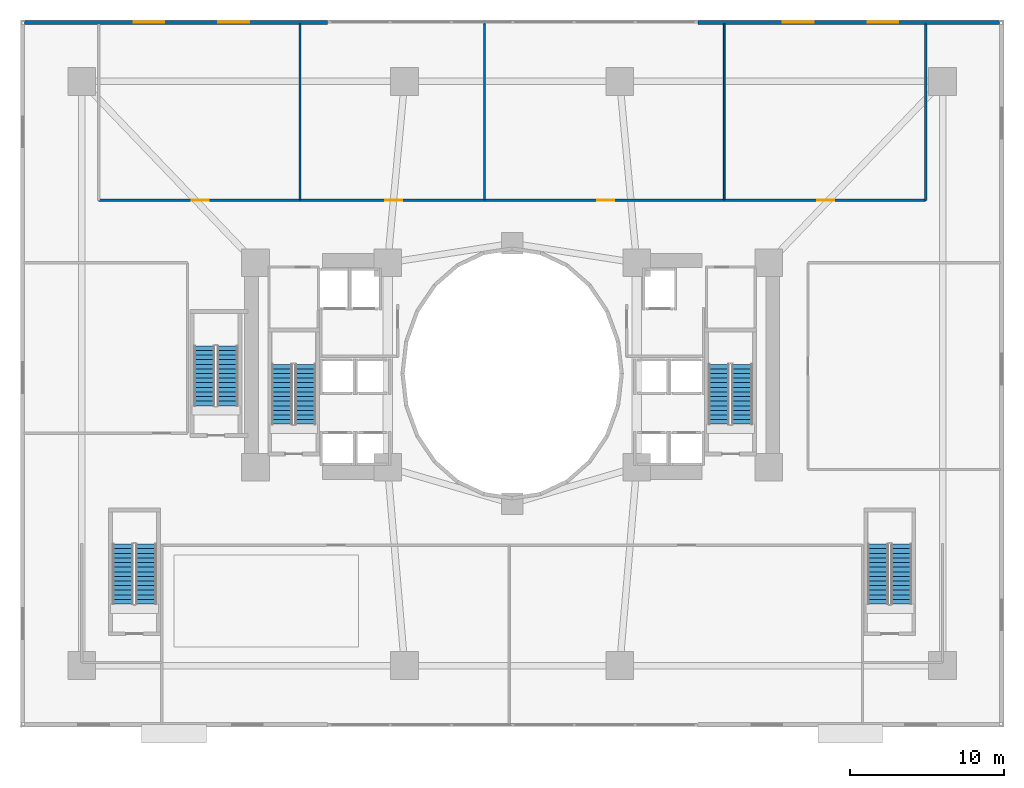
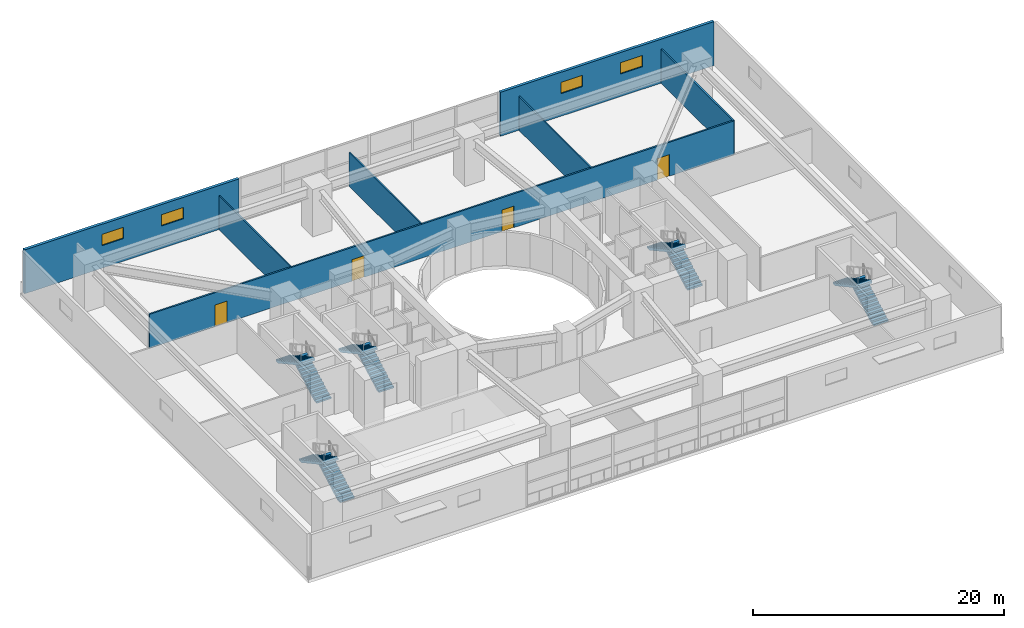
# One storey, part 14 of 20: 10 stair flights, 7 walls, 4 doors, 4 windows, 8 openings, 5 elements without a shape of their own.
"""IFC4 building model written with IfcOpenShell, lengths in metres."""

from ifc_helpers import new_model, si_unit, direction, frame, frame_2d, origin, place, context, subcontext, project, spatial, polyline, rectangle, outline, extrude, material, layer, layer_set, type_object, element, fill, aggregate, save


model = new_model("IFC4")

# Units and contexts
model_context = context("Model", 3, precision=1e-05, world=origin(), true_north=direction((0.0, 1.0)))
body_context = subcontext(model_context, "Body", "Model", "MODEL_VIEW")
ifc_project = project(units=[si_unit("LENGTHUNIT", "METRE"), si_unit("AREAUNIT", "SQUARE_METRE"), si_unit("VOLUMEUNIT", "CUBIC_METRE"), si_unit("PLANEANGLEUNIT", "RADIAN"), si_unit("MASSUNIT", "GRAM", prefix="KILO")], contexts=[model_context])

# Site, building, storey
site_placement = place(None, origin())
site = spatial("IfcSite", under=ifc_project, at=site_placement, CompositionType="ELEMENT")
building_placement = place(site_placement, origin())
building = spatial("IfcBuilding", under=site, at=building_placement, Name="Solvane Sanctuary Tower", CompositionType="ELEMENT")
storey_placement = place(building_placement, frame((0.0, 0.0, 18.39990234375)))
storey = spatial("IfcBuildingStorey", under=building, at=storey_placement, Name="L05", CompositionType="ELEMENT", Elevation=18.39990234375)

# Wall, openings, doors
ifc_material_1 = material(Name="Acoustic Gypsum Partition Board")
ifc_layer_1 = layer(ifc_material_1, 0.14990234375, Name="Acoustic Gypsum Partition Board")
ifc_layer_set_1 = layer_set([ifc_layer_1], Name="Acoustic Gypsum Partition Board")
wall_type_1 = type_object("IfcWallType", Name="Wall W-CORR-150", PredefinedType="PARTITIONING", material=ifc_layer_set_1)
wall_1_placement = place(storey_placement, frame((5.10009765625, 34.27001953125, 0.0), z_axis=(0.0, 0.0, 1.0), x_axis=(1.0, 0.0, 0.0)))
wall_1 = element("IfcWall", 1, at=wall_1_placement, inside=storey, type_object=wall_type_1, Name="L05 North Sanctuary Corridor Wall", PredefinedType="PARTITIONING", context=body_context, shape_type="SweptSolid", body=[
    extrude(rectangle(XDim=53.7998046875, YDim=0.14990234375, at=frame_2d((26.89990234375, 0.0))), origin(), (0.0, 0.0, 1.0), 3.300048828125),
])
opening_1_placement = place(wall_1_placement, frame((6.050048828125, 0.0, 0.0)))
opening_1 = element("IfcOpeningElement", 2, at=opening_1_placement, cuts=wall_1, Name="Opening D-L05-10", PredefinedType="OPENING", context=body_context, shape_type="SweptSolid", body=[
    extrude(rectangle(XDim=1.10009765625, YDim=2.10009765625, at=frame_2d((0.550048828125, 1.050048828125))), frame((0.0, 0.0849609375, 0.0), z_axis=(0.0, -1.0, 0.0), x_axis=(1.0, 0.0, 0.0)), (0.0, 0.0, 1.0), 0.169921875),
])
opening_2_placement = place(wall_1_placement, frame((18.64990234375, 0.0, 0.0)))
opening_2 = element("IfcOpeningElement", 3, at=opening_2_placement, cuts=wall_1, Name="Opening D-L05-11", PredefinedType="OPENING", context=body_context, shape_type="SweptSolid", body=[
    extrude(rectangle(XDim=1.10009765625, YDim=2.10009765625, at=frame_2d((0.550048828125, 1.050048828125))), frame((0.0, 0.0849609375, 0.0), z_axis=(0.0, -1.0, 0.0), x_axis=(1.0, 0.0, 0.0)), (0.0, 0.0, 1.0), 0.169921875),
])
opening_3_placement = place(wall_1_placement, frame((32.449951171875, 0.0, 0.0)))
opening_3 = element("IfcOpeningElement", 4, at=opening_3_placement, cuts=wall_1, Name="Opening D-L05-12", PredefinedType="OPENING", context=body_context, shape_type="SweptSolid", body=[
    extrude(rectangle(XDim=1.10009765625, YDim=2.10009765625, at=frame_2d((0.550048828125, 1.050048828125))), frame((0.0, 0.0849609375, 0.0), z_axis=(0.0, -1.0, 0.0), x_axis=(1.0, 0.0, 0.0)), (0.0, 0.0, 1.0), 0.169921875),
])
opening_4_placement = place(wall_1_placement, frame((46.75, 0.0, 0.0)))
opening_4 = element("IfcOpeningElement", 5, at=opening_4_placement, cuts=wall_1, Name="Opening D-L05-13", PredefinedType="OPENING", context=body_context, shape_type="SweptSolid", body=[
    extrude(rectangle(XDim=1.10009765625, YDim=2.10009765625, at=frame_2d((0.550048828125, 1.050048828125))), frame((0.0, 0.0849609375, 0.0), z_axis=(0.0, -1.0, 0.0), x_axis=(1.0, 0.0, 0.0)), (0.0, 0.0, 1.0), 0.169921875),
])
ifc_material_2 = material(Name="Architectural Stainless Steel 316", Category="steel")
door_type = type_object("IfcDoorType", Name="Door D-FFL", OperationType="NOTDEFINED", PredefinedType="DOOR", material=ifc_material_2)
door_1_placement = place(opening_1_placement, origin())
door_1 = element("IfcDoor", 6, at=door_1_placement, inside=storey, type_object=door_type, Name="L05 SEM-1 Hall Door", OperationType="SINGLE_SWING_RIGHT", OverallHeight=2.10009765625, OverallWidth=1.10009765625, PredefinedType="DOOR", context=body_context, shape_type="SweptSolid", body=[
    extrude(rectangle(XDim=1.10009765625, YDim=2.10009765625, at=frame_2d((0.550048828125, 1.050048828125))), frame((0.0, 0.02490234375, 0.0), z_axis=(0.0, -1.0, 0.0), x_axis=(1.0, 0.0, 0.0)), (0.0, 0.0, 1.0), 0.050048828125),
])
fill(opening_1, door_1)
door_2_placement = place(opening_2_placement, origin())
door_2 = element("IfcDoor", 7, at=door_2_placement, inside=storey, type_object=door_type, Name="L05 SEM-2 Hall Door", OperationType="SINGLE_SWING_LEFT", OverallHeight=2.10009765625, OverallWidth=1.10009765625, PredefinedType="DOOR", context=body_context, shape_type="SweptSolid", body=[
    extrude(rectangle(XDim=1.10009765625, YDim=2.10009765625, at=frame_2d((0.550048828125, 1.050048828125))), frame((0.0, 0.02490234375, 0.0), z_axis=(0.0, -1.0, 0.0), x_axis=(1.0, 0.0, 0.0)), (0.0, 0.0, 1.0), 0.050048828125),
])
fill(opening_2, door_2)
door_3_placement = place(opening_3_placement, origin())
door_3 = element("IfcDoor", 8, at=door_3_placement, inside=storey, type_object=door_type, Name="L05 SEM-3 Hall Door", OperationType="SINGLE_SWING_RIGHT", OverallHeight=2.10009765625, OverallWidth=1.10009765625, PredefinedType="DOOR", context=body_context, shape_type="SweptSolid", body=[
    extrude(rectangle(XDim=1.10009765625, YDim=2.10009765625, at=frame_2d((0.550048828125, 1.050048828125))), frame((0.0, 0.02490234375, 0.0), z_axis=(0.0, -1.0, 0.0), x_axis=(1.0, 0.0, 0.0)), (0.0, 0.0, 1.0), 0.050048828125),
])
fill(opening_3, door_3)
door_4_placement = place(opening_4_placement, origin())
door_4 = element("IfcDoor", 9, at=door_4_placement, inside=storey, type_object=door_type, Name="L05 LOUNGE Hall Door", OperationType="SINGLE_SWING_LEFT", OverallHeight=2.10009765625, OverallWidth=1.10009765625, PredefinedType="DOOR", context=body_context, shape_type="SweptSolid", body=[
    extrude(rectangle(XDim=1.10009765625, YDim=2.10009765625, at=frame_2d((0.550048828125, 1.050048828125))), frame((0.0, 0.02490234375, 0.0), z_axis=(0.0, -1.0, 0.0), x_axis=(1.0, 0.0, 0.0)), (0.0, 0.0, 1.0), 0.050048828125),
])
fill(opening_4, door_4)

# Wall
wall_2_placement = place(storey_placement, frame((58.89990234375, 34.27001953125, 0.0), z_axis=(0.0, 0.0, 1.0), x_axis=(0.0, 1.0, 0.0)))
element("IfcWall", 10, at=wall_2_placement, inside=storey, type_object=wall_type_1, Name="L05 North Hall East Wall", PredefinedType="PARTITIONING", context=body_context, shape_type="SweptSolid", body=[
    extrude(rectangle(XDim=11.47998046875, YDim=0.14990234375, at=frame_2d((5.739990234375, 0.0))), origin(), (0.0, 0.0, 1.0), 3.300048828125),
])

# Wall, openings, windows
ifc_material_3 = material(Name="Precast concrete C40/50", Category="concrete")
ifc_layer_2 = layer(ifc_material_3, 0.260009765625, Name="Precast concrete C40/50")
ifc_layer_set_2 = layer_set([ifc_layer_2], Name="Precast concrete C40/50")
wall_type_2 = type_object("IfcWallType", Name="Wall W-EXT-250", PredefinedType="STANDARD", material=ifc_layer_set_2)
wall_3_placement = place(storey_placement, frame((63.719970703125, 45.85009765625, 0.0), z_axis=(0.0, 0.0, 1.0), x_axis=(-1.0, 0.0, 0.0)))
wall_3 = element("IfcWall", 11, at=wall_3_placement, inside=storey, type_object=wall_type_2, Name="L05 Podium Facade Wall N1", PredefinedType="STANDARD", context=body_context, shape_type="SweptSolid", body=[
    extrude(rectangle(XDim=19.639892578125, YDim=0.260009765625, at=frame_2d((9.81982421875, 0.0))), origin(), (0.0, 0.0, 1.0), 4.280029296875),
])
opening_5_placement = place(wall_3_placement, frame((6.60009765625, 0.0, 2.199951171875)))
opening_5 = element("IfcOpeningElement", 12, at=opening_5_placement, cuts=wall_3, Name="Opening WN-CLER-2000", PredefinedType="OPENING", context=body_context, shape_type="SweptSolid", body=[
    extrude(rectangle(XDim=2.0, YDim=1.10009765625, at=frame_2d((1.0, 0.550048828125))), frame((0.0, 0.139892578125, 0.0), z_axis=(0.0, -1.0, 0.0), x_axis=(1.0, 0.0, 0.0)), (0.0, 0.0, 1.0), 0.280029296875),
])
opening_6_placement = place(wall_3_placement, frame((12.10009765625, 0.0, 2.199951171875)))
opening_6 = element("IfcOpeningElement", 13, at=opening_6_placement, cuts=wall_3, Name="Opening WN-CLER-2000", PredefinedType="OPENING", context=body_context, shape_type="SweptSolid", body=[
    extrude(rectangle(XDim=2.0, YDim=1.10009765625, at=frame_2d((1.0, 0.550048828125))), frame((0.0, 0.139892578125, 0.0), z_axis=(0.0, -1.0, 0.0), x_axis=(1.0, 0.0, 0.0)), (0.0, 0.0, 1.0), 0.280029296875),
])
ifc_material_4 = material(Name="Dark Ceramic-Fritted Low-E Glass", Category="glass")
window_type = type_object("IfcWindowType", Name="Window WN-CLER-2000", PartitioningType="SINGLE_PANEL", PredefinedType="WINDOW", material=ifc_material_4)
window_1_placement = place(opening_5_placement, origin())
window_1 = element("IfcWindow", 14, at=window_1_placement, inside=storey, type_object=window_type, Name="L05 Podium Window N1-6", OverallHeight=1.10009765625, OverallWidth=2.0, PartitioningType="SINGLE_PANEL", PredefinedType="WINDOW", context=body_context, shape_type="SweptSolid", body=[
    extrude(rectangle(XDim=2.0, YDim=1.10009765625, at=frame_2d((1.0, 0.550048828125))), frame((0.0, 0.030029296875, 0.0), z_axis=(0.0, -1.0, 0.0), x_axis=(1.0, 0.0, 0.0)), (0.0, 0.0, 1.0), 0.06005859375),
])
fill(opening_5, window_1)
window_2_placement = place(opening_6_placement, origin())
window_2 = element("IfcWindow", 15, at=window_2_placement, inside=storey, type_object=window_type, Name="L05 Podium Window N1-12", OverallHeight=1.10009765625, OverallWidth=2.0, PartitioningType="SINGLE_PANEL", PredefinedType="WINDOW", context=body_context, shape_type="SweptSolid", body=[
    extrude(rectangle(XDim=2.0, YDim=1.10009765625, at=frame_2d((1.0, 0.550048828125))), frame((0.0, 0.030029296875, 0.0), z_axis=(0.0, -1.0, 0.0), x_axis=(1.0, 0.0, 0.0)), (0.0, 0.0, 1.0), 0.06005859375),
])
fill(opening_6, window_2)

wall_4_placement = place(storey_placement, frame((20.0, 45.85009765625, 0.0), z_axis=(0.0, 0.0, 1.0), x_axis=(-1.0, 0.0, 0.0)))
wall_4 = element("IfcWall", 16, at=wall_4_placement, inside=storey, type_object=wall_type_2, Name="L05 Podium Facade Wall N3", PredefinedType="STANDARD", context=body_context, shape_type="SweptSolid", body=[
    extrude(rectangle(XDim=19.719970703125, YDim=0.260009765625, at=frame_2d((9.85986328125, 0.0))), origin(), (0.0, 0.0, 1.0), 4.280029296875),
])
opening_7_placement = place(wall_4_placement, frame((5.1201171875, 0.0, 2.199951171875)))
opening_7 = element("IfcOpeningElement", 17, at=opening_7_placement, cuts=wall_4, Name="Opening WN-CLER-2000", PredefinedType="OPENING", context=body_context, shape_type="SweptSolid", body=[
    extrude(rectangle(XDim=2.0, YDim=1.10009765625, at=frame_2d((1.0, 0.550048828125))), frame((0.0, 0.139892578125, 0.0), z_axis=(0.0, -1.0, 0.0), x_axis=(1.0, 0.0, 0.0)), (0.0, 0.0, 1.0), 0.280029296875),
])
opening_8_placement = place(wall_4_placement, frame((10.6201171875, 0.0, 2.199951171875)))
opening_8 = element("IfcOpeningElement", 18, at=opening_8_placement, cuts=wall_4, Name="Opening WN-CLER-2000", PredefinedType="OPENING", context=body_context, shape_type="SweptSolid", body=[
    extrude(rectangle(XDim=2.0, YDim=1.10009765625, at=frame_2d((1.0, 0.550048828125))), frame((0.0, 0.139892578125, 0.0), z_axis=(0.0, -1.0, 0.0), x_axis=(1.0, 0.0, 0.0)), (0.0, 0.0, 1.0), 0.280029296875),
])
window_3_placement = place(opening_7_placement, origin())
window_3 = element("IfcWindow", 19, at=window_3_placement, inside=storey, type_object=window_type, Name="L05 Podium Window N3-5", OverallHeight=1.10009765625, OverallWidth=2.0, PartitioningType="SINGLE_PANEL", PredefinedType="WINDOW", context=body_context, shape_type="SweptSolid", body=[
    extrude(rectangle(XDim=2.0, YDim=1.10009765625, at=frame_2d((1.0, 0.550048828125))), frame((0.0, 0.030029296875, 0.0), z_axis=(0.0, -1.0, 0.0), x_axis=(1.0, 0.0, 0.0)), (0.0, 0.0, 1.0), 0.06005859375),
])
fill(opening_7, window_3)
window_4_placement = place(opening_8_placement, origin())
window_4 = element("IfcWindow", 20, at=window_4_placement, inside=storey, type_object=window_type, Name="L05 Podium Window N3-10", OverallHeight=1.10009765625, OverallWidth=2.0, PartitioningType="SINGLE_PANEL", PredefinedType="WINDOW", context=body_context, shape_type="SweptSolid", body=[
    extrude(rectangle(XDim=2.0, YDim=1.10009765625, at=frame_2d((1.0, 0.550048828125))), frame((0.0, 0.030029296875, 0.0), z_axis=(0.0, -1.0, 0.0), x_axis=(1.0, 0.0, 0.0)), (0.0, 0.0, 1.0), 0.06005859375),
])
fill(opening_8, window_4)

# Walls
ifc_layer_3 = layer(ifc_material_1, 0.1201171875, Name="Acoustic Gypsum Partition Board")
ifc_layer_set_3 = layer_set([ifc_layer_3], Name="Acoustic Gypsum Partition Board")
wall_type_3 = type_object("IfcWallType", Name="Wall W-MOV-100", PredefinedType="MOVABLE", material=ifc_layer_set_3)
for number, where, z_axis, x_axis, name in (
    (21, (18.199951171875, 34.320068359375, 0.0), (0.0, 0.0, 1.0), (0.0, 1.0, 0.0), "L05 Hall Dividing Partition SEM-1"),
    (22, (30.199951171875, 34.320068359375, 0.0), (0.0, 0.0, 1.0), (0.0, 1.0, 0.0), "L05 Hall Dividing Partition SEM-2"),
    (23, (45.800048828125, 34.320068359375, 0.0), (0.0, 0.0, 1.0), (0.0, 1.0, 0.0), "L05 Hall Dividing Partition SEM-3"),
):
    element("IfcWall", number, at=place(storey_placement, frame(where, z_axis=z_axis, x_axis=x_axis)), inside=storey, type_object=wall_type_3, Name=name, PredefinedType="MOVABLE", context=body_context, shape_type="SweptSolid", body=[
        extrude(rectangle(XDim=11.429931640625, YDim=0.1201171875, at=frame_2d((5.71484375, 0.0))), origin(), (0.0, 0.0, 1.0), 3.300048828125),
    ])

# Stair, stair flights
ifc_material_5 = material(Name="Concrete C50/60", Category="concrete")
stair_type_1 = type_object("IfcStairType", Name="Stair ST-METRO", PredefinedType="HALF_TURN_STAIR", material=ifc_material_5)
stair_1_placement = place(storey_placement, origin())
stair_1 = element("IfcStair", 24, at=stair_1_placement, inside=storey, type_object=stair_type_1, Name="L05 Exit Stair ST-5 Metro East Stair", PredefinedType="HALF_TURN_STAIR")
stair_flight_type_1 = type_object("IfcStairFlightType", Name="StairFlight SF-METRO", PredefinedType="STRAIGHT", material=ifc_material_5)
stair_flight_1_placement = place(storey_placement, frame((57.324951171875, 8.0, 0.0), z_axis=(0.0, 0.0, 1.0), x_axis=(0.0, 1.0, 0.0)))
stair_flight_1 = element("IfcStairFlight", 25, at=stair_flight_1_placement, type_object=stair_flight_type_1, Name="ST-5 flight 1", NumberOfRisers=14, NumberOfTreads=13, PredefinedType="STRAIGHT", RiserHeight=0.164285714, TreadLength=0.3, context=body_context, shape_type="SweptSolid", body=[
    extrude(outline(polyline([(0.0, 0.0), (0.0, 0.164306640625), (0.300048828125, 0.164306640625), (0.300048828125, 0.32861328125), (0.60009765625, 0.32861328125), (0.60009765625, 0.492919921875), (0.89990234375, 0.492919921875), (0.89990234375, 0.6572265625), (1.199951171875, 0.6572265625), (1.199951171875, 0.821533203125), (1.5, 0.821533203125), (1.5, 0.985595703125), (1.800048828125, 0.985595703125), (1.800048828125, 1.14990234375), (2.10009765625, 1.14990234375), (2.10009765625, 1.314208984375), (2.39990234375, 1.314208984375), (2.39990234375, 1.478515625), (2.699951171875, 1.478515625), (2.699951171875, 1.642822265625), (3.0, 1.642822265625), (3.0, 1.80712890625), (3.300048828125, 1.80712890625), (3.300048828125, 1.971435546875), (3.60009765625, 1.971435546875), (3.60009765625, 2.1357421875), (3.89990234375, 2.1357421875), (3.89990234375, 2.300048828125), (3.89990234375, 1.9306640625), (0.37451171875, 0.0), (0.0, 0.0)])), frame((0.0, 0.675048828125, 0.0), z_axis=(0.0, -1.0, 0.0), x_axis=(1.0, 0.0, 0.0)), (0.0, 0.0, 1.0), 1.35009765625),
])
stair_flight_2_placement = place(storey_placement, frame((55.81494140625, 11.89990234375, 2.300048828125), z_axis=(0.0, 0.0, 1.0), x_axis=(0.0, -1.0, 0.0)))
stair_flight_2 = element("IfcStairFlight", 26, at=stair_flight_2_placement, type_object=stair_flight_type_1, Name="ST-5 flight 2", NumberOfRisers=14, NumberOfTreads=13, PredefinedType="STRAIGHT", RiserHeight=0.164285714, TreadLength=0.3, context=body_context, shape_type="SweptSolid", body=[
    extrude(outline(polyline([(0.0, 0.0), (0.0, 0.164306640625), (0.300048828125, 0.164306640625), (0.300048828125, 0.32861328125), (0.60009765625, 0.32861328125), (0.60009765625, 0.492919921875), (0.89990234375, 0.492919921875), (0.89990234375, 0.6572265625), (1.199951171875, 0.6572265625), (1.199951171875, 0.821533203125), (1.5, 0.821533203125), (1.5, 0.985595703125), (1.800048828125, 0.985595703125), (1.800048828125, 1.14990234375), (2.10009765625, 1.14990234375), (2.10009765625, 1.314208984375), (2.39990234375, 1.314208984375), (2.39990234375, 1.478515625), (2.699951171875, 1.478515625), (2.699951171875, 1.642822265625), (3.0, 1.642822265625), (3.0, 1.80712890625), (3.300048828125, 1.80712890625), (3.300048828125, 1.971435546875), (3.60009765625, 1.971435546875), (3.60009765625, 2.1357421875), (3.89990234375, 2.1357421875), (3.89990234375, 2.300048828125), (3.89990234375, 1.9306640625), (0.37451171875, 0.0), (0.0, 0.0)])), frame((0.0, 0.675048828125, 0.0), z_axis=(0.0, -1.0, 0.0), x_axis=(1.0, 0.0, 0.0)), (0.0, 0.0, 1.0), 1.35009765625),
])
aggregate(stair_1, [stair_flight_1, stair_flight_2])

stair_type_2 = type_object("IfcStairType", Name="Stair ST-POD", PredefinedType="HALF_TURN_STAIR", material=ifc_material_5)
stair_2_placement = place(storey_placement, origin())
stair_2 = element("IfcStair", 27, at=stair_2_placement, inside=storey, type_object=stair_type_2, Name="L05 Exit Stair ST-4 Metro West Stair", PredefinedType="HALF_TURN_STAIR")
stair_flight_type_2 = type_object("IfcStairFlightType", Name="StairFlight SF-POD", PredefinedType="STRAIGHT", material=ifc_material_5)
stair_flight_3_placement = place(storey_placement, frame((8.18505859375, 8.0, 0.0), z_axis=(0.0, 0.0, 1.0), x_axis=(0.0, 1.0, 0.0)))
stair_flight_3 = element("IfcStairFlight", 28, at=stair_flight_3_placement, type_object=stair_flight_type_2, Name="ST-4 flight 1", NumberOfRisers=14, NumberOfTreads=13, PredefinedType="STRAIGHT", RiserHeight=0.164285714, TreadLength=0.3, context=body_context, shape_type="SweptSolid", body=[
    extrude(outline(polyline([(0.0, 0.0), (0.0, 0.164306640625), (0.300048828125, 0.164306640625), (0.300048828125, 0.32861328125), (0.60009765625, 0.32861328125), (0.60009765625, 0.492919921875), (0.89990234375, 0.492919921875), (0.89990234375, 0.6572265625), (1.199951171875, 0.6572265625), (1.199951171875, 0.821533203125), (1.5, 0.821533203125), (1.5, 0.985595703125), (1.800048828125, 0.985595703125), (1.800048828125, 1.14990234375), (2.10009765625, 1.14990234375), (2.10009765625, 1.314208984375), (2.39990234375, 1.314208984375), (2.39990234375, 1.478515625), (2.699951171875, 1.478515625), (2.699951171875, 1.642822265625), (3.0, 1.642822265625), (3.0, 1.80712890625), (3.300048828125, 1.80712890625), (3.300048828125, 1.971435546875), (3.60009765625, 1.971435546875), (3.60009765625, 2.1357421875), (3.89990234375, 2.1357421875), (3.89990234375, 2.300048828125), (3.89990234375, 1.9306640625), (0.37451171875, 0.0), (0.0, 0.0)])), frame((0.0, 0.675048828125, 0.0), z_axis=(0.0, -1.0, 0.0), x_axis=(1.0, 0.0, 0.0)), (0.0, 0.0, 1.0), 1.35009765625),
])
stair_flight_4_placement = place(storey_placement, frame((6.675048828125, 11.89990234375, 2.300048828125), z_axis=(0.0, 0.0, 1.0), x_axis=(0.0, -1.0, 0.0)))
stair_flight_4 = element("IfcStairFlight", 29, at=stair_flight_4_placement, type_object=stair_flight_type_2, Name="ST-4 flight 2", NumberOfRisers=14, NumberOfTreads=13, PredefinedType="STRAIGHT", RiserHeight=0.164285714, TreadLength=0.3, context=body_context, shape_type="SweptSolid", body=[
    extrude(outline(polyline([(0.0, 0.0), (0.0, 0.164306640625), (0.300048828125, 0.164306640625), (0.300048828125, 0.32861328125), (0.60009765625, 0.32861328125), (0.60009765625, 0.492919921875), (0.89990234375, 0.492919921875), (0.89990234375, 0.6572265625), (1.199951171875, 0.6572265625), (1.199951171875, 0.821533203125), (1.5, 0.821533203125), (1.5, 0.985595703125), (1.800048828125, 0.985595703125), (1.800048828125, 1.14990234375), (2.10009765625, 1.14990234375), (2.10009765625, 1.314208984375), (2.39990234375, 1.314208984375), (2.39990234375, 1.478515625), (2.699951171875, 1.478515625), (2.699951171875, 1.642822265625), (3.0, 1.642822265625), (3.0, 1.80712890625), (3.300048828125, 1.80712890625), (3.300048828125, 1.971435546875), (3.60009765625, 1.971435546875), (3.60009765625, 2.1357421875), (3.89990234375, 2.1357421875), (3.89990234375, 2.300048828125), (3.89990234375, 1.9306640625), (0.37451171875, 0.0), (0.0, 0.0)])), frame((0.0, 0.675048828125, 0.0), z_axis=(0.0, -1.0, 0.0), x_axis=(1.0, 0.0, 0.0)), (0.0, 0.0, 1.0), 1.35009765625),
])
aggregate(stair_2, [stair_flight_3, stair_flight_4])

ifc_material_6 = material(Name="Concrete C45/55", Category="concrete")
stair_type_3 = type_object("IfcStairType", Name="Stair ST-TOW", PredefinedType="HALF_TURN_STAIR", material=ifc_material_6)
stair_3_placement = place(storey_placement, origin())
stair_3 = element("IfcStair", 30, at=stair_3_placement, inside=storey, type_object=stair_type_3, Name="L05 Exit Stair ST-1 West Core", PredefinedType="HALF_TURN_STAIR")
stair_flight_type_3 = type_object("IfcStairFlightType", Name="StairFlight SF-TOW", PredefinedType="STRAIGHT", material=ifc_material_6)
stair_flight_5_placement = place(storey_placement, frame((18.544921875, 19.699951171875, 0.0), z_axis=(0.0, 0.0, 1.0), x_axis=(0.0, 1.0, 0.0)))
stair_flight_5 = element("IfcStairFlight", 31, at=stair_flight_5_placement, type_object=stair_flight_type_3, Name="ST-1 flight 1", NumberOfRisers=14, NumberOfTreads=13, PredefinedType="STRAIGHT", RiserHeight=0.164285714, TreadLength=0.3, context=body_context, shape_type="SweptSolid", body=[
    extrude(outline(polyline([(0.0, 0.0), (0.0, 0.164306640625), (0.300048828125, 0.164306640625), (0.300048828125, 0.32861328125), (0.60009765625, 0.32861328125), (0.60009765625, 0.492919921875), (0.89990234375, 0.492919921875), (0.89990234375, 0.6572265625), (1.199951171875, 0.6572265625), (1.199951171875, 0.821533203125), (1.5, 0.821533203125), (1.5, 0.985595703125), (1.800048828125, 0.985595703125), (1.800048828125, 1.14990234375), (2.10009765625, 1.14990234375), (2.10009765625, 1.314208984375), (2.39990234375, 1.314208984375), (2.39990234375, 1.478515625), (2.699951171875, 1.478515625), (2.699951171875, 1.642822265625), (3.0, 1.642822265625), (3.0, 1.80712890625), (3.300048828125, 1.80712890625), (3.300048828125, 1.971435546875), (3.60009765625, 1.971435546875), (3.60009765625, 2.1357421875), (3.89990234375, 2.1357421875), (3.89990234375, 2.300048828125), (3.89990234375, 1.9306640625), (0.37451171875, 0.0), (0.0, 0.0)])), frame((0.0, 0.675048828125, 0.0), z_axis=(0.0, -1.0, 0.0), x_axis=(1.0, 0.0, 0.0)), (0.0, 0.0, 1.0), 1.35009765625),
])
stair_flight_6_placement = place(storey_placement, frame((17.034912109375, 23.60009765625, 2.300048828125), z_axis=(0.0, 0.0, 1.0), x_axis=(0.0, -1.0, 0.0)))
stair_flight_6 = element("IfcStairFlight", 32, at=stair_flight_6_placement, type_object=stair_flight_type_3, Name="ST-1 flight 2", NumberOfRisers=14, NumberOfTreads=13, PredefinedType="STRAIGHT", RiserHeight=0.164285714, TreadLength=0.3, context=body_context, shape_type="SweptSolid", body=[
    extrude(outline(polyline([(0.0, 0.0), (0.0, 0.164306640625), (0.300048828125, 0.164306640625), (0.300048828125, 0.32861328125), (0.60009765625, 0.32861328125), (0.60009765625, 0.492919921875), (0.89990234375, 0.492919921875), (0.89990234375, 0.6572265625), (1.199951171875, 0.6572265625), (1.199951171875, 0.821533203125), (1.5, 0.821533203125), (1.5, 0.985595703125), (1.800048828125, 0.985595703125), (1.800048828125, 1.14990234375), (2.10009765625, 1.14990234375), (2.10009765625, 1.314208984375), (2.39990234375, 1.314208984375), (2.39990234375, 1.478515625), (2.699951171875, 1.478515625), (2.699951171875, 1.642822265625), (3.0, 1.642822265625), (3.0, 1.80712890625), (3.300048828125, 1.80712890625), (3.300048828125, 1.971435546875), (3.60009765625, 1.971435546875), (3.60009765625, 2.1357421875), (3.89990234375, 2.1357421875), (3.89990234375, 2.300048828125), (3.89990234375, 1.9306640625), (0.37451171875, 0.0), (0.0, 0.0)])), frame((0.0, 0.675048828125, 0.0), z_axis=(0.0, -1.0, 0.0), x_axis=(1.0, 0.0, 0.0)), (0.0, 0.0, 1.0), 1.35009765625),
])
aggregate(stair_3, [stair_flight_5, stair_flight_6])

stair_4_placement = place(storey_placement, origin())
stair_4 = element("IfcStair", 33, at=stair_4_placement, inside=storey, type_object=stair_type_3, Name="L05 Exit Stair ST-2 East Core", PredefinedType="HALF_TURN_STAIR")
stair_flight_7_placement = place(storey_placement, frame((46.965087890625, 19.699951171875, 0.0), z_axis=(0.0, 0.0, 1.0), x_axis=(0.0, 1.0, 0.0)))
stair_flight_7 = element("IfcStairFlight", 34, at=stair_flight_7_placement, type_object=stair_flight_type_3, Name="ST-2 flight 1", NumberOfRisers=14, NumberOfTreads=13, PredefinedType="STRAIGHT", RiserHeight=0.164285714, TreadLength=0.3, context=body_context, shape_type="SweptSolid", body=[
    extrude(outline(polyline([(0.0, 0.0), (0.0, 0.164306640625), (0.300048828125, 0.164306640625), (0.300048828125, 0.32861328125), (0.60009765625, 0.32861328125), (0.60009765625, 0.492919921875), (0.89990234375, 0.492919921875), (0.89990234375, 0.6572265625), (1.199951171875, 0.6572265625), (1.199951171875, 0.821533203125), (1.5, 0.821533203125), (1.5, 0.985595703125), (1.800048828125, 0.985595703125), (1.800048828125, 1.14990234375), (2.10009765625, 1.14990234375), (2.10009765625, 1.314208984375), (2.39990234375, 1.314208984375), (2.39990234375, 1.478515625), (2.699951171875, 1.478515625), (2.699951171875, 1.642822265625), (3.0, 1.642822265625), (3.0, 1.80712890625), (3.300048828125, 1.80712890625), (3.300048828125, 1.971435546875), (3.60009765625, 1.971435546875), (3.60009765625, 2.1357421875), (3.89990234375, 2.1357421875), (3.89990234375, 2.300048828125), (3.89990234375, 1.9306640625), (0.37451171875, 0.0), (0.0, 0.0)])), frame((0.0, 0.675048828125, 0.0), z_axis=(0.0, -1.0, 0.0), x_axis=(1.0, 0.0, 0.0)), (0.0, 0.0, 1.0), 1.35009765625),
])
stair_flight_8_placement = place(storey_placement, frame((45.455078125, 23.60009765625, 2.300048828125), z_axis=(0.0, 0.0, 1.0), x_axis=(0.0, -1.0, 0.0)))
stair_flight_8 = element("IfcStairFlight", 35, at=stair_flight_8_placement, type_object=stair_flight_type_3, Name="ST-2 flight 2", NumberOfRisers=14, NumberOfTreads=13, PredefinedType="STRAIGHT", RiserHeight=0.164285714, TreadLength=0.3, context=body_context, shape_type="SweptSolid", body=[
    extrude(outline(polyline([(0.0, 0.0), (0.0, 0.164306640625), (0.300048828125, 0.164306640625), (0.300048828125, 0.32861328125), (0.60009765625, 0.32861328125), (0.60009765625, 0.492919921875), (0.89990234375, 0.492919921875), (0.89990234375, 0.6572265625), (1.199951171875, 0.6572265625), (1.199951171875, 0.821533203125), (1.5, 0.821533203125), (1.5, 0.985595703125), (1.800048828125, 0.985595703125), (1.800048828125, 1.14990234375), (2.10009765625, 1.14990234375), (2.10009765625, 1.314208984375), (2.39990234375, 1.314208984375), (2.39990234375, 1.478515625), (2.699951171875, 1.478515625), (2.699951171875, 1.642822265625), (3.0, 1.642822265625), (3.0, 1.80712890625), (3.300048828125, 1.80712890625), (3.300048828125, 1.971435546875), (3.60009765625, 1.971435546875), (3.60009765625, 2.1357421875), (3.89990234375, 2.1357421875), (3.89990234375, 2.300048828125), (3.89990234375, 1.9306640625), (0.37451171875, 0.0), (0.0, 0.0)])), frame((0.0, 0.675048828125, 0.0), z_axis=(0.0, -1.0, 0.0), x_axis=(1.0, 0.0, 0.0)), (0.0, 0.0, 1.0), 1.35009765625),
])
aggregate(stair_4, [stair_flight_7, stair_flight_8])

stair_5_placement = place(storey_placement, origin())
stair_5 = element("IfcStair", 36, at=stair_5_placement, inside=storey, type_object=stair_type_3, Name="L05 Exit Stair ST-3 Pilgrim Tower Stair", PredefinedType="HALF_TURN_STAIR")
stair_flight_9_placement = place(storey_placement, frame((13.485107421875, 20.89990234375, 0.0), z_axis=(0.0, 0.0, 1.0), x_axis=(0.0, 1.0, 0.0)))
stair_flight_9 = element("IfcStairFlight", 37, at=stair_flight_9_placement, type_object=stair_flight_type_3, Name="ST-3 flight 1", NumberOfRisers=14, NumberOfTreads=13, PredefinedType="STRAIGHT", RiserHeight=0.164285714, TreadLength=0.3, context=body_context, shape_type="SweptSolid", body=[
    extrude(outline(polyline([(0.0, 0.0), (0.0, 0.164306640625), (0.300048828125, 0.164306640625), (0.300048828125, 0.32861328125), (0.60009765625, 0.32861328125), (0.60009765625, 0.492919921875), (0.89990234375, 0.492919921875), (0.89990234375, 0.6572265625), (1.199951171875, 0.6572265625), (1.199951171875, 0.821533203125), (1.5, 0.821533203125), (1.5, 0.985595703125), (1.800048828125, 0.985595703125), (1.800048828125, 1.14990234375), (2.10009765625, 1.14990234375), (2.10009765625, 1.314208984375), (2.39990234375, 1.314208984375), (2.39990234375, 1.478515625), (2.699951171875, 1.478515625), (2.699951171875, 1.642822265625), (3.0, 1.642822265625), (3.0, 1.80712890625), (3.300048828125, 1.80712890625), (3.300048828125, 1.971435546875), (3.60009765625, 1.971435546875), (3.60009765625, 2.1357421875), (3.89990234375, 2.1357421875), (3.89990234375, 2.300048828125), (3.89990234375, 1.9306640625), (0.37451171875, 0.0), (0.0, 0.0)])), frame((0.0, 0.675048828125, 0.0), z_axis=(0.0, -1.0, 0.0), x_axis=(1.0, 0.0, 0.0)), (0.0, 0.0, 1.0), 1.35009765625),
])
stair_flight_10_placement = place(storey_placement, frame((11.97509765625, 24.800048828125, 2.300048828125), z_axis=(0.0, 0.0, 1.0), x_axis=(0.0, -1.0, 0.0)))
stair_flight_10 = element("IfcStairFlight", 38, at=stair_flight_10_placement, type_object=stair_flight_type_3, Name="ST-3 flight 2", NumberOfRisers=14, NumberOfTreads=13, PredefinedType="STRAIGHT", RiserHeight=0.164285714, TreadLength=0.3, context=body_context, shape_type="SweptSolid", body=[
    extrude(outline(polyline([(0.0, 0.0), (0.0, 0.164306640625), (0.300048828125, 0.164306640625), (0.300048828125, 0.32861328125), (0.60009765625, 0.32861328125), (0.60009765625, 0.492919921875), (0.89990234375, 0.492919921875), (0.89990234375, 0.6572265625), (1.199951171875, 0.6572265625), (1.199951171875, 0.821533203125), (1.5, 0.821533203125), (1.5, 0.985595703125), (1.800048828125, 0.985595703125), (1.800048828125, 1.14990234375), (2.10009765625, 1.14990234375), (2.10009765625, 1.314208984375), (2.39990234375, 1.314208984375), (2.39990234375, 1.478515625), (2.699951171875, 1.478515625), (2.699951171875, 1.642822265625), (3.0, 1.642822265625), (3.0, 1.80712890625), (3.300048828125, 1.80712890625), (3.300048828125, 1.971435546875), (3.60009765625, 1.971435546875), (3.60009765625, 2.1357421875), (3.89990234375, 2.1357421875), (3.89990234375, 2.300048828125), (3.89990234375, 1.9306640625), (0.37451171875, 0.0), (0.0, 0.0)])), frame((0.0, 0.675048828125, 0.0), z_axis=(0.0, -1.0, 0.0), x_axis=(1.0, 0.0, 0.0)), (0.0, 0.0, 1.0), 1.35009765625),
])
aggregate(stair_5, [stair_flight_9, stair_flight_10])

save(model, "model.ifc")
